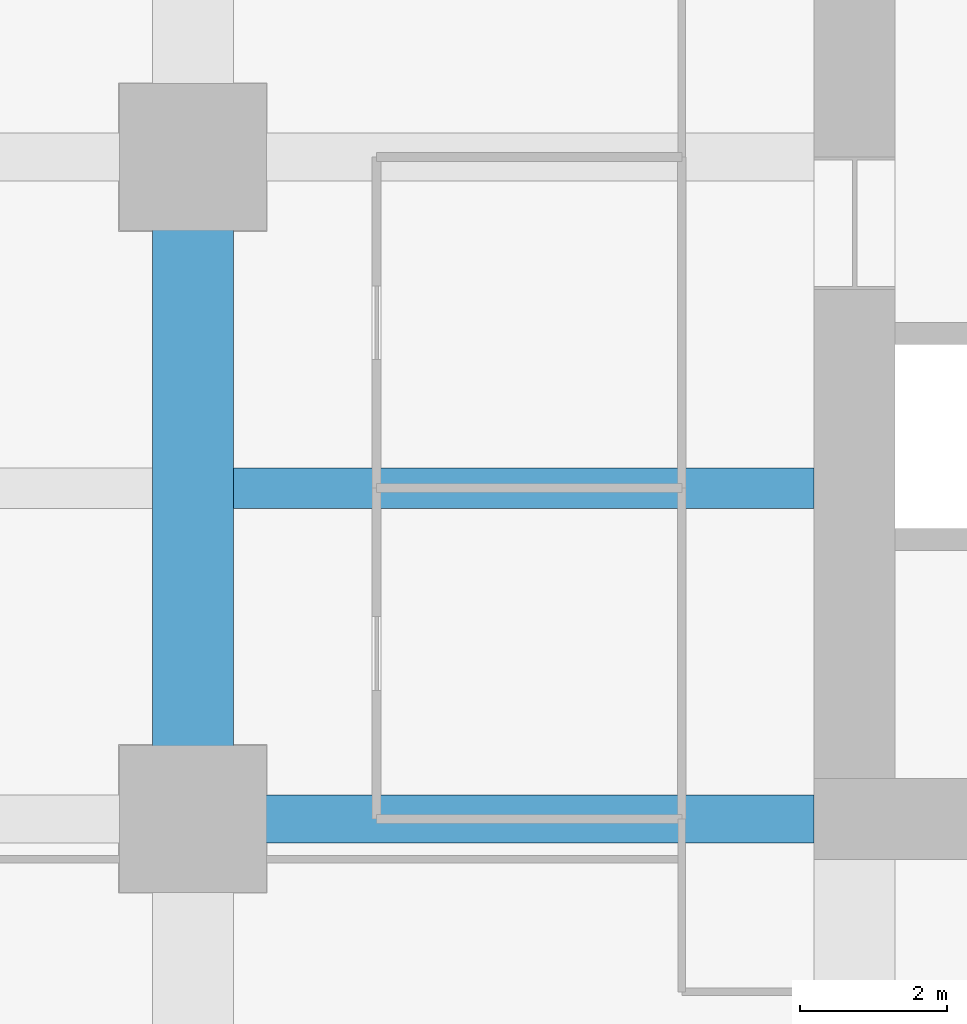
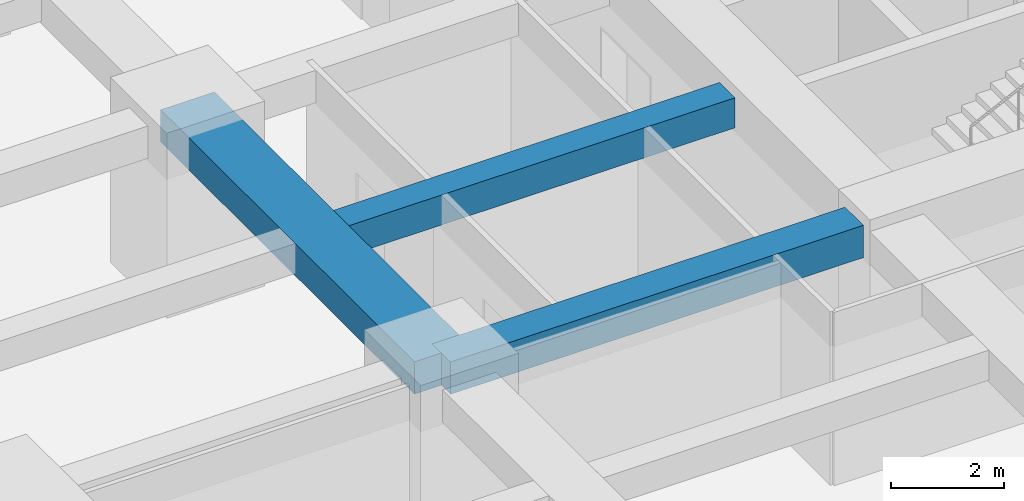
# One storey, part 10 of 41: 3 beams.
"""IFC4 building model written with IfcOpenShell, lengths in metres."""

import ifcopenshell
import ifcopenshell.guid

model = None  # the IFC model being written
_history = None  # IfcOwnerHistory: only IFC2X3 demands one
_inside = {}  # id of a spatial element -> (the spatial element, [elements in it])
_under = {}  # id of a project, library or spatial element -> (it, [spatial elements below it])
_declared = {}  # id of a project -> (the project, [libraries it declares])
_typed = {}  # id of a type object -> (the type object, [elements of that type])
_made_of = {}  # id of a material, layer set ... -> (it, [elements and type objects made of it])


def new_model(schema):
    """Start an empty IFC model of exactly this schema.

    Asked for "IFC4X3", IfcOpenShell would pick the latest addendum, in which some entities
    have other attributes; the version numbers below select the first issue.
    IFC2X3 requires an IfcOwnerHistory on every rooted entity: one is made here for all.
    """
    global model, _history
    if schema == "IFC4X3":
        model = ifcopenshell.file(schema_version=(4, 3, 0, 0))
    else:
        model = ifcopenshell.file(schema=schema)
    _inside.clear()
    _under.clear()
    _declared.clear()
    _typed.clear()
    _made_of.clear()
    _history = None
    if model.schema == "IFC2X3":
        org = make("IfcOrganization", Name="unknown")
        user = make(
            "IfcPersonAndOrganization",
            ThePerson=make("IfcPerson", FamilyName="unknown"),
            TheOrganization=org,
        )
        app = make(
            "IfcApplication",
            ApplicationDeveloper=org,
            Version="unknown",
            ApplicationFullName="unknown",
            ApplicationIdentifier="unknown",
        )
        _history = make(
            "IfcOwnerHistory",
            OwningUser=user,
            OwningApplication=app,
            ChangeAction="ADDED",
            CreationDate=0,
        )
    return model


def make(cls, **values):
    """One entity of the class cls with the attributes given. An attribute that is None is left unset."""
    return model.create_entity(
        cls, **{name: value for name, value in values.items() if value is not None}
    )


def rooted(cls, **values):
    """An entity with a GlobalId (a new one), such as an element, a storey or a relation."""
    return make(cls, GlobalId=ifcopenshell.guid.new(), OwnerHistory=_history, **values)


def si_unit(unit_type, name, prefix=None):
    """IfcSIUnit, for example si_unit("LENGTHUNIT", "METRE", prefix="MILLI")."""
    return make("IfcSIUnit", UnitType=unit_type, Prefix=prefix, Name=name)


def assignment(units):
    """IfcUnitAssignment: the units of a project."""
    return None if units is None else make("IfcUnitAssignment", Units=units)


def point(xyz):
    """IfcCartesianPoint."""
    return None if xyz is None else make("IfcCartesianPoint", Coordinates=xyz)


def direction(xyz):
    """IfcDirection."""
    return None if xyz is None else make("IfcDirection", DirectionRatios=xyz)


def frame(location, z_axis=None, x_axis=None):
    """IfcAxis2Placement3D, a coordinate frame: its origin and axes. An axis left out is left unset."""
    return make(
        "IfcAxis2Placement3D",
        Location=point(location),
        Axis=direction(z_axis),
        RefDirection=direction(x_axis),
    )


def frame_2d(location, x_axis=None):
    """IfcAxis2Placement2D, a coordinate frame in the plane: its origin and x axis."""
    return make(
        "IfcAxis2Placement2D", Location=point(location), RefDirection=direction(x_axis)
    )


def origin():
    """The frame at (0, 0, 0) with its axes left unset."""
    return frame((0.0, 0.0, 0.0))


def origin_2d():
    """The frame at (0, 0) in the plane with its x axis left unset."""
    return frame_2d((0.0, 0.0))


def place(relative_to, where):
    """IfcLocalPlacement: puts the frame where relative to a parent placement (None: the world)."""
    return make(
        "IfcLocalPlacement", PlacementRelTo=relative_to, RelativePlacement=where
    )


def context(
    kind, dimensions, precision=None, world=None, true_north=None, identifier=None
):
    """IfcGeometricRepresentationContext, for example the 3D "Model" context."""
    return make(
        "IfcGeometricRepresentationContext",
        ContextIdentifier=identifier,
        ContextType=kind,
        CoordinateSpaceDimension=dimensions,
        Precision=precision,
        WorldCoordinateSystem=world,
        TrueNorth=true_north,
    )


def subcontext(parent, identifier, kind, view, scale=None):
    """IfcGeometricRepresentationSubContext, for example "Body" below "Model"."""
    return make(
        "IfcGeometricRepresentationSubContext",
        ContextIdentifier=identifier,
        ContextType=kind,
        ParentContext=parent,
        TargetScale=scale,
        TargetView=view,
    )


def project(units=None, contexts=None):
    """IfcProject with its units and contexts."""
    return rooted(
        "IfcProject",
        Name="project",
        RepresentationContexts=contexts,
        UnitsInContext=assignment(units),
    )


def spatial(cls, under=None, at=None, **own):
    """A site, building, storey or space (cls), placed at a placement, below another one or the project."""
    s = rooted(cls, ObjectPlacement=at, **own)
    if under is not None:
        _under.setdefault(under.id(), (under, []))[1].append(s)
    return s


def profile(cls, at=None, kind="AREA", **sizes):
    """A parametric profile (cls). Its sizes go by their IFC names, for example OverallWidth=200.0."""
    return make(cls, ProfileType=kind, Position=at, **sizes)


def rectangle(**sizes):
    """IfcRectangleProfileDef."""
    return profile("IfcRectangleProfileDef", **sizes)


def extrude(swept, where, along, depth):
    """IfcExtrudedAreaSolid: the profile swept, set in the frame where, extruded along a direction by depth."""
    return make(
        "IfcExtrudedAreaSolid",
        SweptArea=swept,
        Position=where,
        ExtrudedDirection=direction(along),
        Depth=depth,
    )


def shape(context_of_items, identifier, shape_type, items):
    """IfcShapeRepresentation: the items that make up one representation, for example the "Body"."""
    return make(
        "IfcShapeRepresentation",
        ContextOfItems=context_of_items,
        RepresentationIdentifier=identifier,
        RepresentationType=shape_type,
        Items=items,
    )


def material(Name=None, Category=None):
    """IfcMaterial."""
    return make("IfcMaterial", Name=Name, Category=Category)


def material_profile(
    of_material, cross_section, Name=None, Category=None, Priority=None
):
    """IfcMaterialProfile: a cross section and its material."""
    return make(
        "IfcMaterialProfile",
        Name=Name,
        Material=of_material,
        Profile=cross_section,
        Priority=Priority,
        Category=Category,
    )


def profile_set(profiles, Name=None, composite=None):
    """IfcMaterialProfileSet."""
    return make(
        "IfcMaterialProfileSet",
        Name=Name,
        MaterialProfiles=profiles,
        CompositeProfile=composite,
    )


def made_of(thing, what):
    """Note that an element or type object is made of a material, layer set ...; save() writes the relation."""
    if what is not None:
        _made_of.setdefault(what.id(), (what, []))[1].append(thing)
    return thing


def type_object(cls, material=None, **own):
    """A type object (cls), such as IfcWallType, which elements share."""
    return made_of(rooted(cls, **own), material)


def element(
    cls,
    number,
    at=None,
    inside=None,
    cuts=None,
    type_object=None,
    material=None,
    context=None,
    identifier="Body",
    shape_type=None,
    held_by="IfcProductDefinitionShape",
    body=None,
    shapes=None,
    **own,
):
    """One element of the class cls, such as IfcWall. Its Tag is "e" and its number.

    at: its placement. inside: the storey or other place that contains it. cuts: it is an
    opening in that element (IfcRelVoidsElement). A single representation is given by context,
    identifier, shape_type and body (its items); several are given by shapes. held_by: the class
    of the entity that holds the representations. save() writes the other relations.
    """
    e = rooted(cls, Tag="e%d" % number, ObjectPlacement=at, **own)
    if body is not None:
        shapes = [shape(context, identifier, shape_type, body)]
    if shapes is not None:
        e.Representation = make(held_by, Representations=shapes)
    if inside is not None:
        _inside.setdefault(inside.id(), (inside, []))[1].append(e)
    if cuts is not None:
        rooted(
            "IfcRelVoidsElement", RelatingBuildingElement=cuts, RelatedOpeningElement=e
        )
    if type_object is not None:
        _typed.setdefault(type_object.id(), (type_object, []))[1].append(e)
    return made_of(e, material)


def aggregate(whole, parts):
    """IfcRelAggregates: a whole, such as a stair, and the parts it consists of."""
    return rooted("IfcRelAggregates", RelatingObject=whole, RelatedObjects=parts)


def save(model, path):
    """Write the relations noted so far, then the file.

    IfcRelAggregates (storeys below a building ...), IfcRelContainedInSpatialStructure (elements
    in a storey), IfcRelDefinesByType, IfcRelAssociatesMaterial and IfcRelDeclares: one each for
    every whole, place, type object, material and project.
    """
    for whole, parts in _under.values():
        aggregate(whole, parts)
    for where, things in _inside.values():
        rooted(
            "IfcRelContainedInSpatialStructure",
            RelatedElements=things,
            RelatingStructure=where,
        )
    for kind, things in _typed.values():
        rooted("IfcRelDefinesByType", RelatedObjects=things, RelatingType=kind)
    for what, things in _made_of.values():
        rooted("IfcRelAssociatesMaterial", RelatedObjects=things, RelatingMaterial=what)
    for by, libraries in _declared.values():
        rooted("IfcRelDeclares", RelatingContext=by, RelatedDefinitions=libraries)
    model.write(path)


model = new_model("IFC4")

# Units and contexts
model_context = context("Model", 3, precision=1e-05, world=origin(), true_north=direction((0.0, 1.0)))
body_context = subcontext(model_context, "Body", "Model", "MODEL_VIEW")
ifc_project = project(units=[si_unit("LENGTHUNIT", "METRE"), si_unit("AREAUNIT", "SQUARE_METRE"), si_unit("VOLUMEUNIT", "CUBIC_METRE"), si_unit("PLANEANGLEUNIT", "RADIAN"), si_unit("MASSUNIT", "GRAM", prefix="KILO")], contexts=[model_context])

# Site, building, storey
site_placement = place(None, origin())
site = spatial("IfcSite", under=ifc_project, at=site_placement, CompositionType="ELEMENT")
building_placement = place(site_placement, origin())
building = spatial("IfcBuilding", under=site, at=building_placement, Name="Zorevar Civic Tower", CompositionType="ELEMENT")
storey_placement = place(building_placement, frame((0.0, 0.0, 105.0)))
storey = spatial("IfcBuildingStorey", under=building, at=storey_placement, Name="L25", CompositionType="ELEMENT", Elevation=105.0)

# Beams
ifc_material_1 = material(Name="Concrete C50/60", Category="concrete")
ifc_material_profile_1 = material_profile(ifc_material_1, rectangle(XDim=1.10009765625, YDim=0.699951171875, at=origin_2d()), Name="RC 1100x700")
ifc_profile_set_1 = profile_set([ifc_material_profile_1], Name="Concrete C50/60")
beam_type_1 = type_object("IfcBeamType", Name="Beam RC 1100x700", PredefinedType="BEAM", material=ifc_profile_set_1)
beam_1_placement = place(storey_placement, frame((9.0, 18.0, 3.39990234375), z_axis=(0.0, 1.0, 0.0), x_axis=(-1.0, 0.0, 0.0)))
element("IfcBeam", 1, at=beam_1_placement, inside=storey, type_object=beam_type_1, Name="Girder L26", PredefinedType="BEAM", context=body_context, shape_type="SweptSolid", body=[
    extrude(rectangle(XDim=1.10009765625, YDim=0.699951171875, at=origin_2d()), origin(), (0.0, 0.0, 1.0), 9.0),
])
ifc_material_2 = material(Name="Concrete C50/60", Category="concrete")
ifc_material_profile_2 = material_profile(ifc_material_2, rectangle(XDim=0.550048828125, YDim=0.64990234375, at=origin_2d()), Name="RC 550x650")
ifc_profile_set_2 = profile_set([ifc_material_profile_2], Name="Concrete C50/60")
beam_type_2 = type_object("IfcBeamType", Name="Beam RC 550x650", PredefinedType="BEAM", material=ifc_profile_set_2)
beam_2_placement = place(storey_placement, frame((9.550048828125, 22.5, 3.425048828125), z_axis=(1.0, 0.0, 0.0), x_axis=(0.0, 1.0, 0.0)))
element("IfcBeam", 2, at=beam_2_placement, inside=storey, type_object=beam_type_2, Name="Secondary beam L26", PredefinedType="BEAM", context=body_context, shape_type="SweptSolid", body=[
    extrude(rectangle(XDim=0.550048828125, YDim=0.64990234375, at=origin_2d()), origin(), (0.0, 0.0, 1.0), 7.89990234375),
])
ifc_material_3 = material(Name="Concrete C50/60", Category="concrete")
ifc_material_profile_3 = material_profile(ifc_material_3, rectangle(XDim=0.64990234375, YDim=0.699951171875, at=origin_2d()), Name="RC 650x700")
ifc_profile_set_3 = profile_set([ifc_material_profile_3], Name="Concrete C50/60")
beam_type_3 = type_object("IfcBeamType", Name="Beam RC 650x700", PredefinedType="BEAM", material=ifc_profile_set_3)
beam_3_placement = place(storey_placement, frame((9.0, 18.0, 3.39990234375), z_axis=(1.0, 0.0, 0.0), x_axis=(0.0, 1.0, 0.0)))
element("IfcBeam", 3, at=beam_3_placement, inside=storey, type_object=beam_type_3, Name="Girder L26", PredefinedType="BEAM", context=body_context, shape_type="SweptSolid", body=[
    extrude(rectangle(XDim=0.64990234375, YDim=0.699951171875, at=origin_2d()), origin(), (0.0, 0.0, 1.0), 8.449951171875),
])

save(model, "model.ifc")
